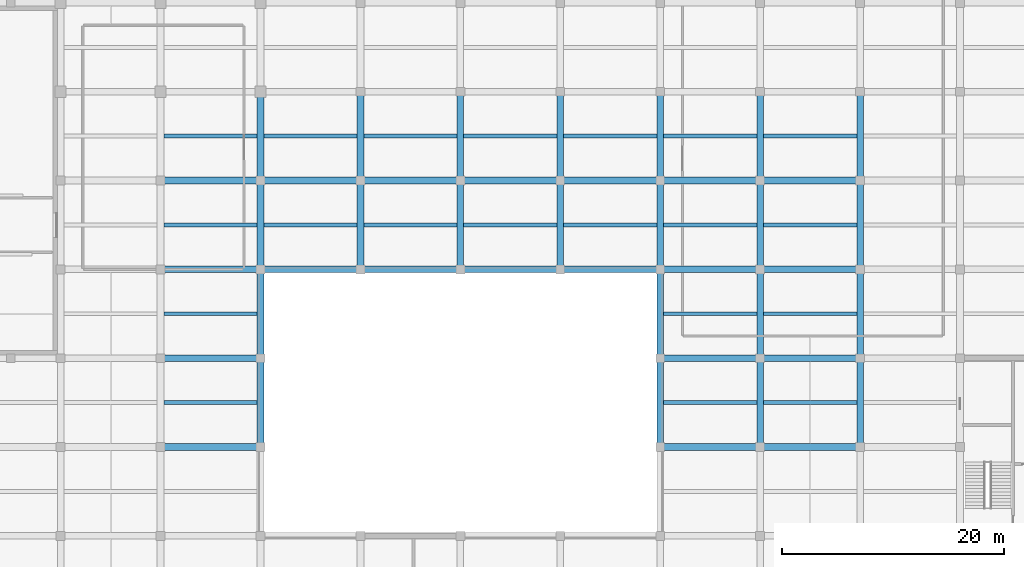
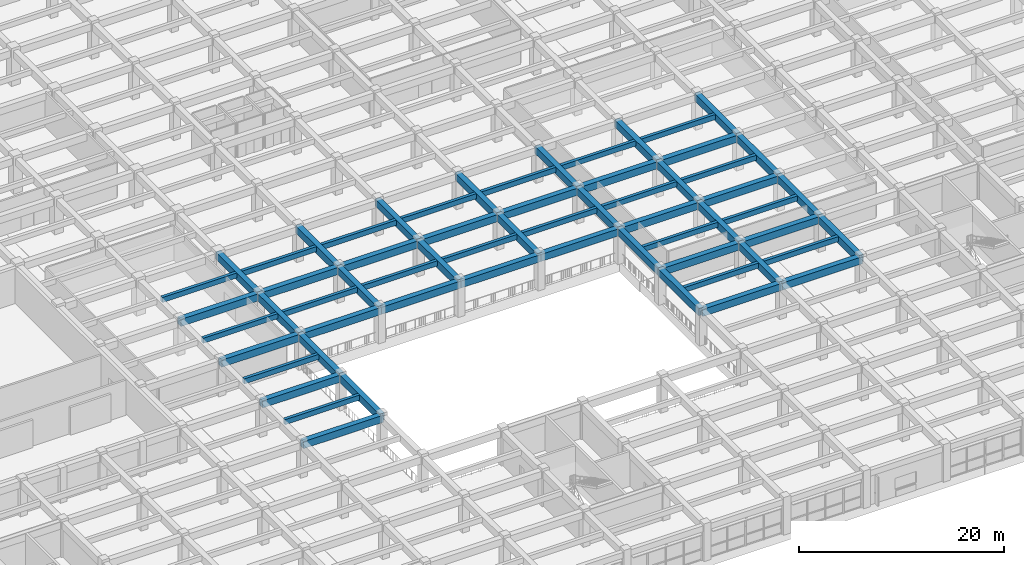
# One storey, part 12 of 50: 62 beams.
"""IFC4 building model written with IfcOpenShell, lengths in metres."""

from ifc_helpers import new_model, si_unit, direction, frame, origin, origin_2d, place, context, subcontext, project, spatial, rectangle, extrude, material, material_profile, profile_set, type_object, element, save


model = new_model("IFC4")

# Units and contexts
model_context = context("Model", 3, precision=1e-05, world=origin(), true_north=direction((0.0, 1.0)))
body_context = subcontext(model_context, "Body", "Model", "MODEL_VIEW")
ifc_project = project(units=[si_unit("LENGTHUNIT", "METRE"), si_unit("AREAUNIT", "SQUARE_METRE"), si_unit("VOLUMEUNIT", "CUBIC_METRE"), si_unit("PLANEANGLEUNIT", "RADIAN"), si_unit("MASSUNIT", "GRAM", prefix="KILO")], contexts=[model_context])

# Site, building, storey
site_placement = place(None, origin())
site = spatial("IfcSite", under=ifc_project, at=site_placement, CompositionType="ELEMENT")
building_placement = place(site_placement, origin())
building = spatial("IfcBuilding", under=site, at=building_placement, Name="Zaverband Oceanarium and Marine Research Institute", CompositionType="ELEMENT")
storey_placement = place(building_placement, frame((0.0, 0.0, 4.5)))
storey = spatial("IfcBuildingStorey", under=building, at=storey_placement, Name="L01", CompositionType="ELEMENT", Elevation=4.5)

# Beams
ifc_material = material(Name="Concrete C40/50", Category="concrete")
ifc_material_profile_1 = material_profile(ifc_material, rectangle(XDim=0.60009765625, YDim=0.85009765625, at=origin_2d()), Name="RC600x850")
ifc_profile_set_1 = profile_set([ifc_material_profile_1], Name="Concrete C40/50")
beam_type_1 = type_object("IfcBeamType", Name="BM-600x850", PredefinedType="BEAM", material=ifc_profile_set_1)
for number, where, z_axis, x_axis, name in (
    (1, (63.0, 32.0, 3.7548828125), (1.0, 0.0, 0.0), (0.0, 1.0, 0.0), "Primary floor girder BM-600x850"),
    (2, (108.0, 32.0, 3.7548828125), (1.0, 0.0, 0.0), (0.0, 1.0, 0.0), "Primary floor girder BM-600x850"),
    (3, (117.0, 32.0, 3.7548828125), (1.0, 0.0, 0.0), (0.0, 1.0, 0.0), "Primary floor girder BM-600x850"),
    (4, (63.0, 40.0, 3.7548828125), (1.0, 0.0, 0.0), (0.0, 1.0, 0.0), "Primary floor girder BM-600x850"),
    (5, (108.0, 40.0, 3.7548828125), (1.0, 0.0, 0.0), (0.0, 1.0, 0.0), "Primary floor girder BM-600x850"),
    (6, (117.0, 40.0, 3.7548828125), (1.0, 0.0, 0.0), (0.0, 1.0, 0.0), "Primary floor girder BM-600x850"),
    (7, (63.0, 48.0, 3.7548828125), (1.0, 0.0, 0.0), (0.0, 1.0, 0.0), "Primary floor girder BM-600x850"),
    (8, (72.0, 48.0, 3.7548828125), (1.0, 0.0, 0.0), (0.0, 1.0, 0.0), "Primary floor girder BM-600x850"),
    (9, (81.0, 48.0, 3.7548828125), (1.0, 0.0, 0.0), (0.0, 1.0, 0.0), "Primary floor girder BM-600x850"),
    (10, (90.0, 48.0, 3.7548828125), (1.0, 0.0, 0.0), (0.0, 1.0, 0.0), "Primary floor girder BM-600x850"),
    (11, (99.0, 48.0, 3.7548828125), (1.0, 0.0, 0.0), (0.0, 1.0, 0.0), "Primary floor girder BM-600x850"),
    (12, (108.0, 48.0, 3.7548828125), (1.0, 0.0, 0.0), (0.0, 1.0, 0.0), "Primary floor girder BM-600x850"),
    (13, (117.0, 48.0, 3.7548828125), (1.0, 0.0, 0.0), (0.0, 1.0, 0.0), "Primary floor girder BM-600x850"),
    (14, (63.0, 56.0, 3.7548828125), (1.0, 0.0, 0.0), (0.0, 1.0, 0.0), "Primary floor girder BM-600x850"),
    (15, (72.0, 56.0, 3.7548828125), (1.0, 0.0, 0.0), (0.0, 1.0, 0.0), "Primary floor girder BM-600x850"),
    (16, (81.0, 56.0, 3.7548828125), (1.0, 0.0, 0.0), (0.0, 1.0, 0.0), "Primary floor girder BM-600x850"),
    (17, (90.0, 56.0, 3.7548828125), (1.0, 0.0, 0.0), (0.0, 1.0, 0.0), "Primary floor girder BM-600x850"),
    (18, (99.0, 56.0, 3.7548828125), (1.0, 0.0, 0.0), (0.0, 1.0, 0.0), "Primary floor girder BM-600x850"),
    (19, (108.0, 56.0, 3.7548828125), (1.0, 0.0, 0.0), (0.0, 1.0, 0.0), "Primary floor girder BM-600x850"),
    (20, (117.0, 56.0, 3.7548828125), (1.0, 0.0, 0.0), (0.0, 1.0, 0.0), "Primary floor girder BM-600x850"),
):
    element("IfcBeam", number, at=place(storey_placement, frame(where, z_axis=z_axis, x_axis=x_axis)), inside=storey, type_object=beam_type_1, Name=name, PredefinedType="BEAM", context=body_context, shape_type="SweptSolid", body=[
        extrude(rectangle(XDim=0.60009765625, YDim=0.85009765625, at=origin_2d()), origin(), (0.0, 0.0, 1.0), 9.0),
    ])
for number, where, z_axis, x_axis, name in (
    (21, (72.0, 32.0, 3.7548828125), (0.0, 1.0, 0.0), (-1.0, 0.0, 0.0), "Primary floor girder BM-600x850"),
    (22, (72.0, 40.0, 3.7548828125), (0.0, 1.0, 0.0), (-1.0, 0.0, 0.0), "Primary floor girder BM-600x850"),
    (23, (72.0, 48.0, 3.7548828125), (0.0, 1.0, 0.0), (-1.0, 0.0, 0.0), "Primary floor girder BM-600x850"),
    (24, (72.0, 56.0, 3.7548828125), (0.0, 1.0, 0.0), (-1.0, 0.0, 0.0), "Primary floor girder BM-600x850"),
    (25, (81.0, 48.0, 3.7548828125), (0.0, 1.0, 0.0), (-1.0, 0.0, 0.0), "Primary floor girder BM-600x850"),
    (26, (81.0, 56.0, 3.7548828125), (0.0, 1.0, 0.0), (-1.0, 0.0, 0.0), "Primary floor girder BM-600x850"),
    (27, (90.0, 48.0, 3.7548828125), (0.0, 1.0, 0.0), (-1.0, 0.0, 0.0), "Primary floor girder BM-600x850"),
    (28, (90.0, 56.0, 3.7548828125), (0.0, 1.0, 0.0), (-1.0, 0.0, 0.0), "Primary floor girder BM-600x850"),
    (29, (99.0, 48.0, 3.7548828125), (0.0, 1.0, 0.0), (-1.0, 0.0, 0.0), "Primary floor girder BM-600x850"),
    (30, (99.0, 56.0, 3.7548828125), (0.0, 1.0, 0.0), (-1.0, 0.0, 0.0), "Primary floor girder BM-600x850"),
    (31, (108.0, 32.0, 3.7548828125), (0.0, 1.0, 0.0), (-1.0, 0.0, 0.0), "Primary floor girder BM-600x850"),
    (32, (108.0, 40.0, 3.7548828125), (0.0, 1.0, 0.0), (-1.0, 0.0, 0.0), "Primary floor girder BM-600x850"),
    (33, (108.0, 48.0, 3.7548828125), (0.0, 1.0, 0.0), (-1.0, 0.0, 0.0), "Primary floor girder BM-600x850"),
    (34, (108.0, 56.0, 3.7548828125), (0.0, 1.0, 0.0), (-1.0, 0.0, 0.0), "Primary floor girder BM-600x850"),
    (35, (117.0, 32.0, 3.7548828125), (0.0, 1.0, 0.0), (-1.0, 0.0, 0.0), "Primary floor girder BM-600x850"),
    (36, (117.0, 40.0, 3.7548828125), (0.0, 1.0, 0.0), (-1.0, 0.0, 0.0), "Primary floor girder BM-600x850"),
    (37, (117.0, 48.0, 3.7548828125), (0.0, 1.0, 0.0), (-1.0, 0.0, 0.0), "Primary floor girder BM-600x850"),
    (38, (117.0, 56.0, 3.7548828125), (0.0, 1.0, 0.0), (-1.0, 0.0, 0.0), "Primary floor girder BM-600x850"),
    (39, (126.0, 32.0, 3.7548828125), (0.0, 1.0, 0.0), (-1.0, 0.0, 0.0), "Primary floor girder BM-600x850"),
    (40, (126.0, 40.0, 3.7548828125), (0.0, 1.0, 0.0), (-1.0, 0.0, 0.0), "Primary floor girder BM-600x850"),
    (41, (126.0, 48.0, 3.7548828125), (0.0, 1.0, 0.0), (-1.0, 0.0, 0.0), "Primary floor girder BM-600x850"),
    (42, (126.0, 56.0, 3.7548828125), (0.0, 1.0, 0.0), (-1.0, 0.0, 0.0), "Primary floor girder BM-600x850"),
):
    element("IfcBeam", number, at=place(storey_placement, frame(where, z_axis=z_axis, x_axis=x_axis)), inside=storey, type_object=beam_type_1, Name=name, PredefinedType="BEAM", context=body_context, shape_type="SweptSolid", body=[
        extrude(rectangle(XDim=0.60009765625, YDim=0.85009765625, at=origin_2d()), origin(), (0.0, 0.0, 1.0), 8.0),
    ])
ifc_material_profile_2 = material_profile(ifc_material, rectangle(XDim=0.35009765625, YDim=0.60009765625, at=origin_2d()), Name="RC350x600")
ifc_profile_set_2 = profile_set([ifc_material_profile_2], Name="Concrete C40/50")
beam_type_2 = type_object("IfcBeamType", Name="JST-350x600", PredefinedType="JOIST", material=ifc_profile_set_2)
for number, where, z_axis, x_axis, name in (
    (43, (63.300048828125, 36.0, 3.8798828125), (1.0, 0.0, 0.0), (0.0, 1.0, 0.0), "Secondary floor joist JST-350x600"),
    (44, (63.300048828125, 44.0, 3.8798828125), (1.0, 0.0, 0.0), (0.0, 1.0, 0.0), "Secondary floor joist JST-350x600"),
    (45, (63.300048828125, 52.0, 3.8798828125), (1.0, 0.0, 0.0), (0.0, 1.0, 0.0), "Secondary floor joist JST-350x600"),
    (46, (63.300048828125, 60.0, 3.8798828125), (1.0, 0.0, 0.0), (0.0, 1.0, 0.0), "Secondary floor joist JST-350x600"),
    (47, (72.300048828125, 52.0, 3.8798828125), (1.0, 0.0, 0.0), (0.0, 1.0, 0.0), "Secondary floor joist JST-350x600"),
    (48, (72.300048828125, 60.0, 3.8798828125), (1.0, 0.0, 0.0), (0.0, 1.0, 0.0), "Secondary floor joist JST-350x600"),
    (49, (81.300048828125, 52.0, 3.8798828125), (1.0, 0.0, 0.0), (0.0, 1.0, 0.0), "Secondary floor joist JST-350x600"),
    (50, (81.300048828125, 60.0, 3.8798828125), (1.0, 0.0, 0.0), (0.0, 1.0, 0.0), "Secondary floor joist JST-350x600"),
    (51, (90.300048828125, 52.0, 3.8798828125), (1.0, 0.0, 0.0), (0.0, 1.0, 0.0), "Secondary floor joist JST-350x600"),
    (52, (90.300048828125, 60.0, 3.8798828125), (1.0, 0.0, 0.0), (0.0, 1.0, 0.0), "Secondary floor joist JST-350x600"),
    (53, (99.300048828125, 52.0, 3.8798828125), (1.0, 0.0, 0.0), (0.0, 1.0, 0.0), "Secondary floor joist JST-350x600"),
    (54, (99.300048828125, 60.0, 3.8798828125), (1.0, 0.0, 0.0), (0.0, 1.0, 0.0), "Secondary floor joist JST-350x600"),
    (55, (108.300048828125, 36.0, 3.8798828125), (1.0, 0.0, 0.0), (0.0, 1.0, 0.0), "Secondary floor joist JST-350x600"),
    (56, (108.300048828125, 44.0, 3.8798828125), (1.0, 0.0, 0.0), (0.0, 1.0, 0.0), "Secondary floor joist JST-350x600"),
    (57, (108.300048828125, 52.0, 3.8798828125), (1.0, 0.0, 0.0), (0.0, 1.0, 0.0), "Secondary floor joist JST-350x600"),
    (58, (108.300048828125, 60.0, 3.8798828125), (1.0, 0.0, 0.0), (0.0, 1.0, 0.0), "Secondary floor joist JST-350x600"),
    (59, (117.300048828125, 36.0, 3.8798828125), (1.0, 0.0, 0.0), (0.0, 1.0, 0.0), "Secondary floor joist JST-350x600"),
    (60, (117.300048828125, 44.0, 3.8798828125), (1.0, 0.0, 0.0), (0.0, 1.0, 0.0), "Secondary floor joist JST-350x600"),
    (61, (117.300048828125, 52.0, 3.8798828125), (1.0, 0.0, 0.0), (0.0, 1.0, 0.0), "Secondary floor joist JST-350x600"),
    (62, (117.300048828125, 60.0, 3.8798828125), (1.0, 0.0, 0.0), (0.0, 1.0, 0.0), "Secondary floor joist JST-350x600"),
):
    element("IfcBeam", number, at=place(storey_placement, frame(where, z_axis=z_axis, x_axis=x_axis)), inside=storey, type_object=beam_type_2, Name=name, PredefinedType="JOIST", context=body_context, shape_type="SweptSolid", body=[
        extrude(rectangle(XDim=0.35009765625, YDim=0.60009765625, at=origin_2d()), origin(), (0.0, 0.0, 1.0), 8.39990234375),
    ])

save(model, "model.ifc")
